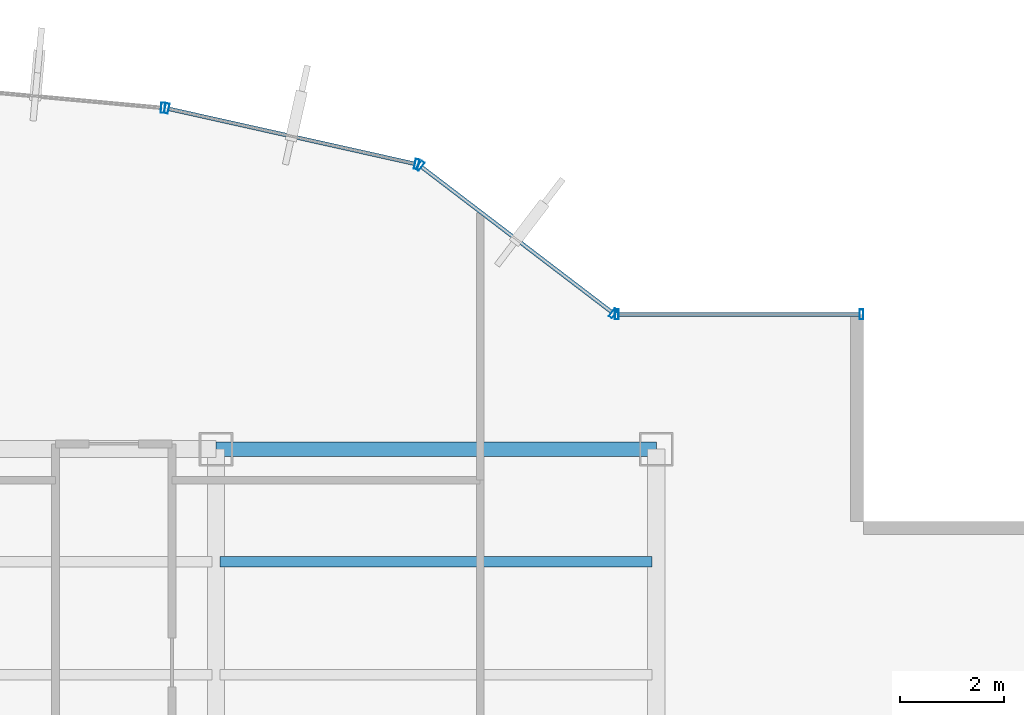
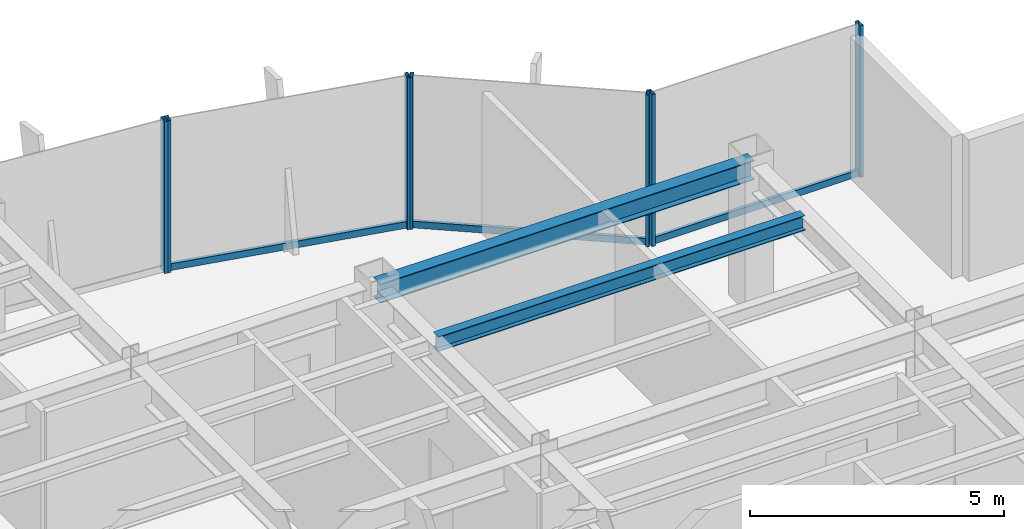
# One storey, part 11 of 19: 10 members, 2 beams, 4 elements without a shape of their own.
"""IFC4 building model written with IfcOpenShell, lengths in metres."""

from ifc_helpers import new_model, si_unit, derived_unit, direction, frame, origin, origin_2d, place, context, subcontext, project, spatial, hollow_rectangle, i_section, extrude, source, transform, mapped, material, material_profile, profile_set, type_object, element, aggregate, save


model = new_model("IFC4")

# Units and contexts
model_context = context("Model", 3, precision=1e-05, world=origin(), true_north=direction((0.0, 1.0)))
body_context = subcontext(model_context, "Body", "Model", "MODEL_VIEW")
ifc_project = project(units=[si_unit("LENGTHUNIT", "METRE"), si_unit("AREAUNIT", "SQUARE_METRE"), si_unit("VOLUMEUNIT", "CUBIC_METRE"), si_unit("PLANEANGLEUNIT", "RADIAN"), si_unit("MASSUNIT", "GRAM", prefix="KILO"), derived_unit("THERMALTRANSMITTANCEUNIT", [(si_unit("POWERUNIT", "WATT"), 1), (si_unit("LENGTHUNIT", "METRE"), -2), (si_unit("THERMODYNAMICTEMPERATUREUNIT", "KELVIN"), -1)])], contexts=[model_context])

# Site, building, storey
site_placement = place(None, origin())
site = spatial("IfcSite", under=ifc_project, at=site_placement, CompositionType="ELEMENT")
building_placement = place(site_placement, origin())
building = spatial("IfcBuilding", under=site, at=building_placement, Name="Skarnbrae Concourse Arena and Tower", CompositionType="ELEMENT")
storey_placement = place(building_placement, frame((0.0, 0.0, 180.75)))
storey = spatial("IfcBuildingStorey", under=building, at=storey_placement, Name="L46", CompositionType="ELEMENT", Elevation=180.75)

# Beams
ifc_material_1 = material(Name="Steel CSA G40.21 350W", Category="steel")
ifc_material_profile_1 = material_profile(ifc_material_1, i_section(OverallWidth=0.280029296875, OverallDepth=0.462890625, WebThickness=0.0107421875, FlangeThickness=0.017333984375, at=origin_2d()), Name="W460X113")
ifc_profile_set_1 = profile_set([ifc_material_profile_1], Name="Steel CSA G40.21 350W")
beam_type_1 = type_object("IfcBeamType", Name="BM-SPAN-W460X113", PredefinedType="SPANDREL", material=ifc_profile_set_1)
shared_shape_1 = source(origin(), body_context, "Body", "SweptSolid", [
    extrude(i_section(OverallWidth=0.280029296875, OverallDepth=0.462890625, WebThickness=0.0107421875, FlangeThickness=0.017333984375, at=origin_2d()), origin(), (0.0, 0.0, 1.0), 8.5),
])
beam_1_placement = place(storey_placement, frame((33.5, 34.39990234375, 3.16845703125), z_axis=(1.0, 0.0, 0.0), x_axis=(0.0, 1.0, 0.0)))
element("IfcBeam", 1, at=beam_1_placement, inside=storey, type_object=beam_type_1, Name="L46 Perimeter spandrel Y34.4-5", PredefinedType="SPANDREL", context=body_context, shape_type="MappedRepresentation", body=[
    mapped(shared_shape_1, transform((0.0, 0.0, 0.0))),
])
ifc_material_profile_2 = material_profile(ifc_material_1, i_section(OverallWidth=0.205078125, OverallDepth=0.35400390625, WebThickness=0.009521484375, FlangeThickness=0.016845703125, at=origin_2d()), Name="W360X79")
ifc_profile_set_2 = profile_set([ifc_material_profile_2], Name="Steel CSA G40.21 350W")
beam_type_2 = type_object("IfcBeamType", Name="BM-JOIST-W360X79", PredefinedType="JOIST", material=ifc_profile_set_2)
shared_shape_2 = source(origin(), body_context, "Body", "SweptSolid", [
    extrude(i_section(OverallWidth=0.205078125, OverallDepth=0.35400390625, WebThickness=0.009521484375, FlangeThickness=0.016845703125, at=origin_2d()), origin(), (0.0, 0.0, 1.0), 8.33984375),
])
beam_2_placement = place(storey_placement, frame((33.580078125, 32.221923828125, 3.222900390625), z_axis=(1.0, 0.0, 0.0), x_axis=(0.0, 1.0, 0.0)))
element("IfcBeam", 2, at=beam_2_placement, inside=storey, type_object=beam_type_2, Name="L46 Secondary floor joist 3.2.5", PredefinedType="JOIST", context=body_context, shape_type="MappedRepresentation", body=[
    mapped(shared_shape_2, transform((0.0, 0.0, 0.0))),
])

# Curtain wall, members
ifc_material_2 = material(Name="Bronze anodised aluminium 6063-T6", Category="aluminium")
curtain_wall_type = type_object("IfcCurtainWallType", Name="CW-SYS-04-MIDZONE", PredefinedType="USERDEFINED", material=ifc_material_2)
curtain_wall_1_placement = place(storey_placement, origin())
curtain_wall_1 = element("IfcCurtainWall", 3, at=curtain_wall_1_placement, inside=storey, type_object=curtain_wall_type, Name="L46 Unitised curtain wall CW-L46-E07", ObjectType="UNITISED CURTAIN WALL", PredefinedType="USERDEFINED")
ifc_material_profile_3 = material_profile(ifc_material_2, hollow_rectangle(XDim=0.074951171875, YDim=0.195068359375, WallThickness=0.00439453125, at=origin_2d()), Name="ALU-MULL-75X195")
ifc_profile_set_3 = profile_set([ifc_material_profile_3], Name="Bronze anodised aluminium 6063-T6")
member_type_1 = type_object("IfcMemberType", Name="CWM-CW-04", PredefinedType="MULLION", material=ifc_profile_set_3)
shared_shape_3 = source(origin(), body_context, "Body", "SweptSolid", [
    extrude(hollow_rectangle(XDim=0.074951171875, YDim=0.195068359375, WallThickness=0.00439453125, at=origin_2d()), origin(), (0.0, 0.0, 1.0), 3.64990234375),
])
member_1_placement = place(storey_placement, frame((45.96240234375, 37.0, 0.0), z_axis=(0.0, 0.0, 1.0), x_axis=(-1.0, 0.0, 0.0)))
member_1 = element("IfcMember", 4, at=member_1_placement, type_object=member_type_1, Name="CW-L46-E07 Mullion 1", PredefinedType="MULLION", context=body_context, shape_type="MappedRepresentation", body=[
    mapped(shared_shape_3, transform((0.0, 0.0, 0.0))),
])
member_2_placement = place(storey_placement, frame((41.237548828125, 37.0, 0.0), z_axis=(0.0, 0.0, 1.0), x_axis=(-1.0, 0.0, 0.0)))
member_2 = element("IfcMember", 5, at=member_2_placement, type_object=member_type_1, Name="CW-L46-E07 Mullion 2", PredefinedType="MULLION", context=body_context, shape_type="MappedRepresentation", body=[
    mapped(shared_shape_3, transform((0.0, 0.0, 0.0))),
])

curtain_wall_2_placement = place(storey_placement, origin())
curtain_wall_2 = element("IfcCurtainWall", 6, at=curtain_wall_2_placement, inside=storey, type_object=curtain_wall_type, Name="L46 Unitised curtain wall CW-L46-E08", ObjectType="UNITISED CURTAIN WALL", PredefinedType="USERDEFINED")
member_3_placement = place(storey_placement, frame((41.170166015625, 37.022705078125, 0.0), z_axis=(0.0, 0.0, 1.0), x_axis=(-0.794956000706, 0.606667089054, 0.0)))
member_3 = element("IfcMember", 7, at=member_3_placement, type_object=member_type_1, Name="CW-L46-E08 Mullion 1", PredefinedType="MULLION", context=body_context, shape_type="MappedRepresentation", body=[
    mapped(shared_shape_3, transform((0.0, 0.0, 0.0))),
])
member_4_placement = place(storey_placement, frame((37.439208984375, 39.869873046875, 0.0), z_axis=(0.0, 0.0, 1.0), x_axis=(-0.794956000706, 0.606667089054, 0.0)))
member_4 = element("IfcMember", 8, at=member_4_placement, type_object=member_type_1, Name="CW-L46-E08 Mullion 2", PredefinedType="MULLION", context=body_context, shape_type="MappedRepresentation", body=[
    mapped(shared_shape_3, transform((0.0, 0.0, 0.0))),
])

curtain_wall_3_placement = place(storey_placement, origin())
curtain_wall_3 = element("IfcCurtainWall", 9, at=curtain_wall_3_placement, inside=storey, type_object=curtain_wall_type, Name="L46 Unitised curtain wall CW-L46-E09", ObjectType="UNITISED CURTAIN WALL", PredefinedType="USERDEFINED")
member_5_placement = place(storey_placement, frame((37.372802734375, 39.90087890625, 0.0), z_axis=(0.0, 0.0, 1.0), x_axis=(-0.975936175393, 0.218056372433, 0.0)))
member_5 = element("IfcMember", 10, at=member_5_placement, type_object=member_type_1, Name="CW-L46-E09 Mullion 1", PredefinedType="MULLION", context=body_context, shape_type="MappedRepresentation", body=[
    mapped(shared_shape_3, transform((0.0, 0.0, 0.0))),
])
member_6_placement = place(storey_placement, frame((32.548828125, 40.978759765625, 0.0), z_axis=(0.0, 0.0, 1.0), x_axis=(-0.975936175393, 0.218056372433, 0.0)))
member_6 = element("IfcMember", 11, at=member_6_placement, type_object=member_type_1, Name="CW-L46-E09 Mullion 2", PredefinedType="MULLION", context=body_context, shape_type="MappedRepresentation", body=[
    mapped(shared_shape_3, transform((0.0, 0.0, 0.0))),
])

# Curtain wall, member
curtain_wall_4_placement = place(storey_placement, origin())
curtain_wall_4 = element("IfcCurtainWall", 12, at=curtain_wall_4_placement, inside=storey, type_object=curtain_wall_type, Name="L46 Unitised curtain wall CW-L46-E10", ObjectType="UNITISED CURTAIN WALL", PredefinedType="USERDEFINED")
member_7_placement = place(storey_placement, frame((32.47509765625, 40.990234375, 0.0), z_axis=(0.0, 0.0, 1.0), x_axis=(-0.995819926016, 0.091338244731, 0.0)))
member_7 = element("IfcMember", 13, at=member_7_placement, type_object=member_type_1, Name="CW-L46-E10 Mullion 1", PredefinedType="MULLION", context=body_context, shape_type="MappedRepresentation", body=[
    mapped(shared_shape_3, transform((0.0, 0.0, 0.0))),
])
aggregate(curtain_wall_4, [member_7])

# Member
ifc_material_profile_4 = material_profile(ifc_material_2, hollow_rectangle(XDim=0.074951171875, YDim=0.159912109375, WallThickness=0.00439453125, at=origin_2d()), Name="ALU-TRAN-75X160")
ifc_profile_set_4 = profile_set([ifc_material_profile_4], Name="Bronze anodised aluminium 6063-T6")
member_type_2 = type_object("IfcMemberType", Name="CWT-CW-04", PredefinedType="USERDEFINED", material=ifc_profile_set_4)
shared_shape_4 = source(origin(), body_context, "Body", "SweptSolid", [
    extrude(hollow_rectangle(XDim=0.074951171875, YDim=0.159912109375, WallThickness=0.00439453125, at=origin_2d()), origin(), (0.0, 0.0, 1.0), 4.650146484375),
])
member_8_placement = place(storey_placement, frame((45.925048828125, 37.0, 0.080078125), z_axis=(-1.0, 0.0, 0.0), x_axis=(0.0, -1.0, 0.0)))
member_8 = element("IfcMember", 14, at=member_8_placement, type_object=member_type_2, Name="CW-L46-E07 Transom 1", ObjectType="TRANSOM", PredefinedType="USERDEFINED", context=body_context, shape_type="MappedRepresentation", body=[
    mapped(shared_shape_4, transform((0.0, 0.0, 0.0))),
])

aggregate(curtain_wall_1, [member_1, member_2, member_8])

shared_shape_5 = source(origin(), body_context, "Body", "SweptSolid", [
    extrude(hollow_rectangle(XDim=0.074951171875, YDim=0.159912109375, WallThickness=0.00439453125, at=origin_2d()), origin(), (0.0, 0.0, 1.0), 4.618408203125),
])
member_9_placement = place(storey_placement, frame((41.140380859375, 37.04541015625, 0.080078125), z_axis=(-0.794960638756, 0.606661011462, 0.0), x_axis=(-0.606661011462, -0.794960638756, 0.0)))
member_9 = element("IfcMember", 15, at=member_9_placement, type_object=member_type_2, Name="CW-L46-E08 Transom 1", ObjectType="TRANSOM", PredefinedType="USERDEFINED", context=body_context, shape_type="MappedRepresentation", body=[
    mapped(shared_shape_5, transform((0.0, 0.0, 0.0))),
])

aggregate(curtain_wall_2, [member_3, member_4, member_9])

shared_shape_6 = source(origin(), body_context, "Body", "SweptSolid", [
    extrude(hollow_rectangle(XDim=0.074951171875, YDim=0.159912109375, WallThickness=0.00439453125, at=origin_2d()), origin(), (0.0, 0.0, 1.0), 4.867919921875),
])
member_10_placement = place(storey_placement, frame((37.336181640625, 39.9091796875, 0.080078125), z_axis=(-0.975944534406, 0.218018957349, 0.0), x_axis=(-0.218018957349, -0.975944534406, 0.0)))
member_10 = element("IfcMember", 16, at=member_10_placement, type_object=member_type_2, Name="CW-L46-E09 Transom 1", ObjectType="TRANSOM", PredefinedType="USERDEFINED", context=body_context, shape_type="MappedRepresentation", body=[
    mapped(shared_shape_6, transform((0.0, 0.0, 0.0))),
])

aggregate(curtain_wall_3, [member_5, member_6, member_10])

save(model, "model.ifc")
